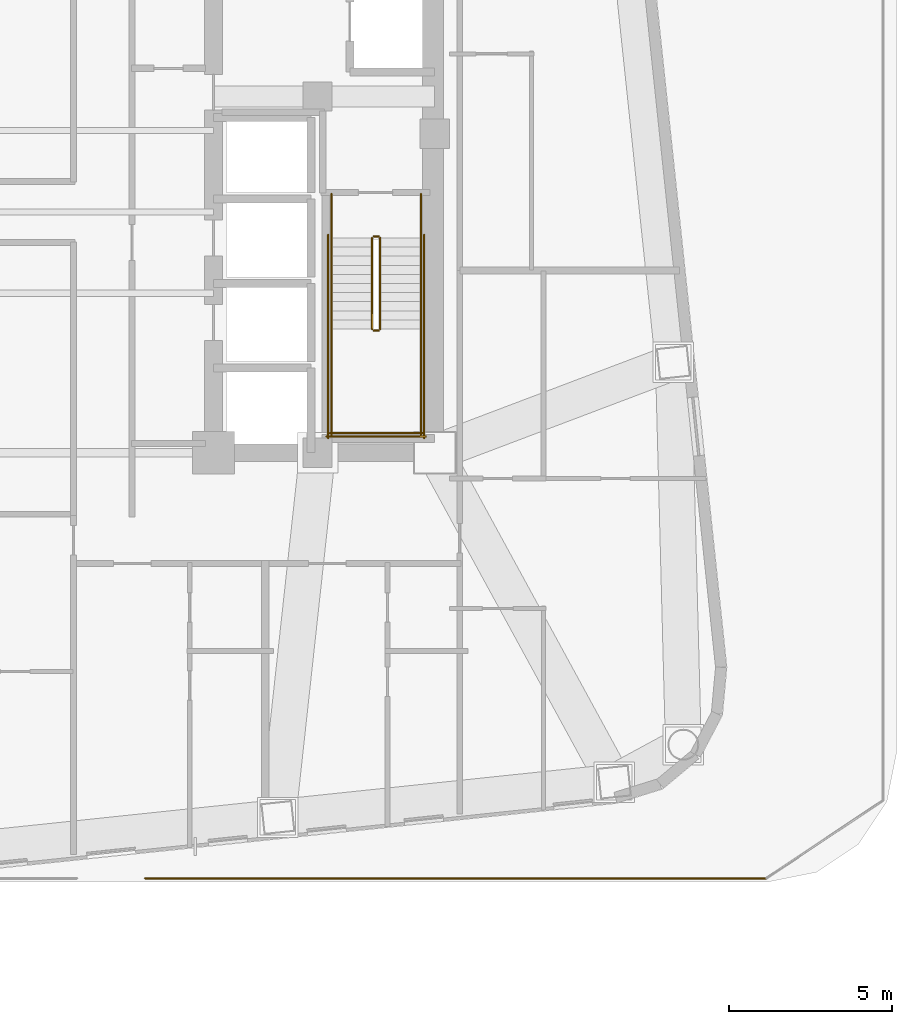
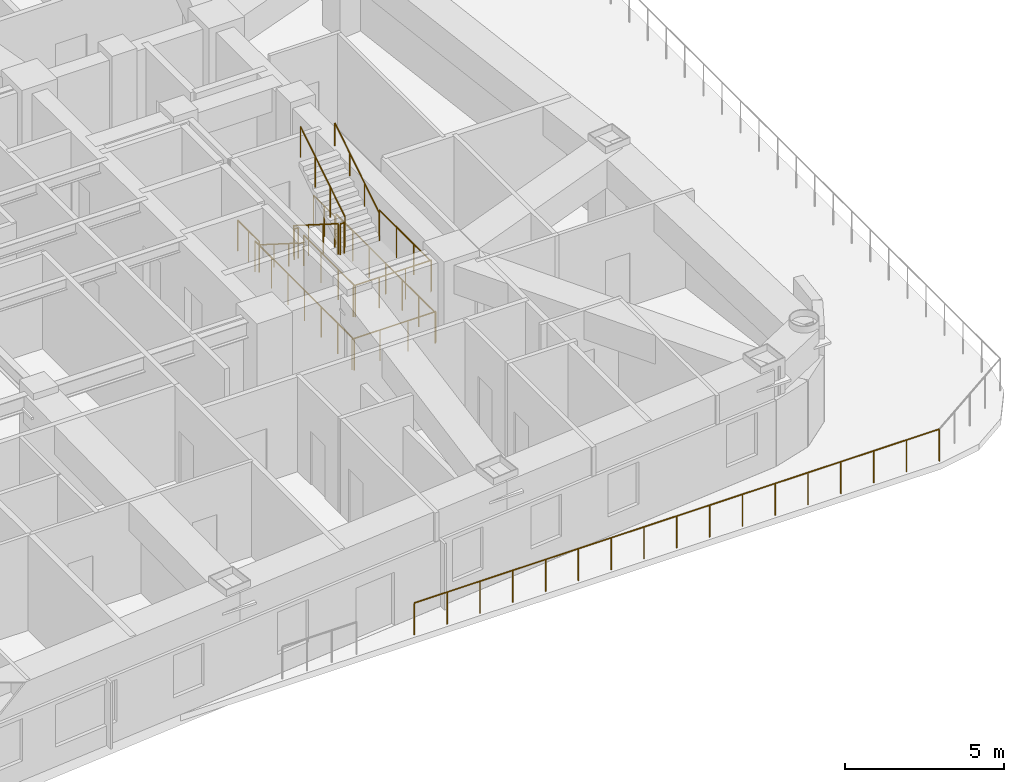
# One storey, part 14 of 15: 15 railings.
"""IFC4 building model written with IfcOpenShell, lengths in metres."""

from ifc_helpers import new_model, si_unit, direction, frame, origin, origin_2d, place, context, subcontext, project, spatial, circle, extrude, material, type_object, element, save


model = new_model("IFC4")

# Units and contexts
model_context = context("Model", 3, precision=1e-05, world=origin(), true_north=direction((0.0, 1.0)))
body_context = subcontext(model_context, "Body", "Model", "MODEL_VIEW")
ifc_project = project(units=[si_unit("LENGTHUNIT", "METRE"), si_unit("AREAUNIT", "SQUARE_METRE"), si_unit("VOLUMEUNIT", "CUBIC_METRE"), si_unit("PLANEANGLEUNIT", "RADIAN"), si_unit("MASSUNIT", "GRAM", prefix="KILO")], contexts=[model_context])

# Site, building, storey
site_placement = place(None, origin())
site = spatial("IfcSite", under=ifc_project, at=site_placement, CompositionType="ELEMENT")
building_placement = place(site_placement, origin())
building = spatial("IfcBuilding", under=site, at=building_placement, Name="Voryun Gate Residences", CompositionType="ELEMENT")
storey_placement = place(building_placement, frame((0.0, 0.0, 140.39990234375)))
storey = spatial("IfcBuildingStorey", under=building, at=storey_placement, Name="L34", CompositionType="ELEMENT", Elevation=140.39990234375)

# Railings
ifc_material_1 = material(Name="Painted steel", Category="steel")
railing_type_1 = type_object("IfcRailingType", Name="RAIL_STAIR_GUARD_1200", PredefinedType="GUARDRAIL", material=ifc_material_1)
railing_1_placement = place(storey_placement, frame((17.27490234375, -0.800048828125, 0.177490234375)))
element("IfcRailing", 1, at=railing_1_placement, inside=storey, type_object=railing_type_1, Name="L34 ST-E1 stair guard 1", PredefinedType="GUARDRAIL", context=body_context, shape_type="SweptSolid", body=[
    extrude(circle(Radius=0.02392578125, at=origin_2d()), frame((0.0, 0.0, 1.17578125), z_axis=(0.0, -0.844908973607, 0.534910110503), x_axis=(1.0, 0.0, 0.0)), (0.0, 0.0, 1.0), 3.31396484375),
    extrude(circle(Radius=0.02099609375, at=origin_2d()), origin(), (0.0, 0.0, 1.0), 1.15185546875),
    extrude(circle(Radius=0.02099609375, at=origin_2d()), frame((0.0, -0.933349609375, 0.5908203125)), (0.0, 0.0, 1.0), 1.15185546875),
    extrude(circle(Radius=0.02099609375, at=origin_2d()), frame((0.0, -1.86669921875, 1.181884765625)), (0.0, 0.0, 1.0), 1.15185546875),
    extrude(circle(Radius=0.02099609375, at=origin_2d()), frame((0.0, -2.800048828125, 1.772705078125)), (0.0, 0.0, 1.0), 1.15185546875),
])
railing_2_placement = place(storey_placement, frame((17.324951171875, -3.64990234375, 1.9501953125)))
element("IfcRailing", 2, at=railing_2_placement, inside=storey, type_object=railing_type_1, Name="L34 ST-E1 stair guard 2", PredefinedType="GUARDRAIL", context=body_context, shape_type="SweptSolid", body=[
    extrude(circle(Radius=0.02392578125, at=origin_2d()), frame((0.0, 0.0, 1.17578125), z_axis=(1.0, 0.0, 0.0), x_axis=(0.0, 1.0, 0.0)), (0.0, 0.0, 1.0), 0.150146484375),
    extrude(circle(Radius=0.02099609375, at=origin_2d()), origin(), (0.0, 0.0, 1.0), 1.15185546875),
    extrude(circle(Radius=0.02099609375, at=origin_2d()), frame((0.150146484375, 0.0, 0.0)), (0.0, 0.0, 1.0), 1.15185546875),
])
for number, where, name in (
    (3, (16.02490234375, -3.60009765625, 1.9501953125), "L34 ST-E1 stair guard 3"),
    (4, (18.77490234375, -3.60009765625, 1.9501953125), "L34 ST-E1 stair guard 4"),
):
    element("IfcRailing", number, at=place(storey_placement, frame(where)), inside=storey, type_object=railing_type_1, Name=name, PredefinedType="GUARDRAIL", context=body_context, shape_type="SweptSolid", body=[
        extrude(circle(Radius=0.02392578125, at=origin_2d()), frame((0.0, 0.0, 1.17578125), z_axis=(0.0, -1.0, 0.0), x_axis=(1.0, 0.0, 0.0)), (0.0, 0.0, 1.0), 3.25),
        extrude(circle(Radius=0.02099609375, at=origin_2d()), origin(), (0.0, 0.0, 1.0), 1.15185546875),
        extrude(circle(Radius=0.02099609375, at=origin_2d()), frame((0.0, -1.083251953125, 0.0)), (0.0, 0.0, 1.0), 1.15185546875),
        extrude(circle(Radius=0.02099609375, at=origin_2d()), frame((0.0, -2.166748046875, 0.0)), (0.0, 0.0, 1.0), 1.15185546875),
        extrude(circle(Radius=0.02099609375, at=origin_2d()), frame((0.0, -3.25, 0.0)), (0.0, 0.0, 1.0), 1.15185546875),
    ])
railing_3_placement = place(storey_placement, frame((15.97509765625, -6.800048828125, 1.9501953125)))
element("IfcRailing", 5, at=railing_3_placement, inside=storey, type_object=railing_type_1, Name="L34 ST-E1 stair guard 5", PredefinedType="GUARDRAIL", context=body_context, shape_type="SweptSolid", body=[
    extrude(circle(Radius=0.02392578125, at=origin_2d()), frame((0.0, 0.0, 1.17578125), z_axis=(1.0, 0.0, 0.0), x_axis=(0.0, 1.0, 0.0)), (0.0, 0.0, 1.0), 2.849853515625),
    extrude(circle(Radius=0.02099609375, at=origin_2d()), origin(), (0.0, 0.0, 1.0), 1.15185546875),
    extrude(circle(Radius=0.02099609375, at=origin_2d()), frame((0.949951171875, 0.0, 0.0)), (0.0, 0.0, 1.0), 1.15185546875),
    extrude(circle(Radius=0.02099609375, at=origin_2d()), frame((1.89990234375, 0.0, 0.0)), (0.0, 0.0, 1.0), 1.15185546875),
    extrude(circle(Radius=0.02099609375, at=origin_2d()), frame((2.849853515625, 0.0, 0.0)), (0.0, 0.0, 1.0), 1.15185546875),
])
railing_4_placement = place(storey_placement, frame((17.52490234375, -3.60009765625, 2.12744140625)))
element("IfcRailing", 6, at=railing_4_placement, inside=storey, type_object=railing_type_1, Name="L34 ST-E1 stair guard 6", PredefinedType="GUARDRAIL", context=body_context, shape_type="SweptSolid", body=[
    extrude(circle(Radius=0.02392578125, at=origin_2d()), frame((0.0, 0.0, 1.17578125), z_axis=(0.0, 0.844908973607, 0.534910110503), x_axis=(-1.0, 0.0, 0.0)), (0.0, 0.0, 1.0), 3.31396484375),
    extrude(circle(Radius=0.02099609375, at=origin_2d()), origin(), (0.0, 0.0, 1.0), 1.15185546875),
    extrude(circle(Radius=0.02099609375, at=origin_2d()), frame((0.0, 0.933349609375, 0.5908203125)), (0.0, 0.0, 1.0), 1.15185546875),
    extrude(circle(Radius=0.02099609375, at=origin_2d()), frame((0.0, 1.86669921875, 1.181884765625)), (0.0, 0.0, 1.0), 1.15185546875),
    extrude(circle(Radius=0.02099609375, at=origin_2d()), frame((0.0, 2.800048828125, 1.772705078125)), (0.0, 0.0, 1.0), 1.15185546875),
])
railing_5_placement = place(storey_placement, frame((17.324951171875, -0.75, 0.0)))
element("IfcRailing", 7, at=railing_5_placement, inside=storey, type_object=railing_type_1, Name="L34 ST-E1 stair guard 7", PredefinedType="GUARDRAIL", context=body_context, shape_type="SweptSolid", body=[
    extrude(circle(Radius=0.02392578125, at=origin_2d()), frame((0.0, 0.0, 1.17578125), z_axis=(1.0, 0.0, 0.0), x_axis=(0.0, 1.0, 0.0)), (0.0, 0.0, 1.0), 0.150146484375),
    extrude(circle(Radius=0.02099609375, at=origin_2d()), origin(), (0.0, 0.0, 1.0), 1.15185546875),
    extrude(circle(Radius=0.02099609375, at=origin_2d()), frame((0.150146484375, 0.0, 0.0)), (0.0, 0.0, 1.0), 1.15185546875),
])
for number, where, name in (
    (8, (16.02490234375, 0.550048828125, 0.0), "L34 ST-E1 stair guard 8"),
    (9, (18.77490234375, 0.550048828125, 0.0), "L34 ST-E1 stair guard 9"),
):
    element("IfcRailing", number, at=place(storey_placement, frame(where)), inside=storey, type_object=railing_type_1, Name=name, PredefinedType="GUARDRAIL", context=body_context, shape_type="SweptSolid", body=[
        extrude(circle(Radius=0.02392578125, at=origin_2d()), frame((0.0, 0.0, 1.17578125), z_axis=(0.0, -1.0, 0.0), x_axis=(1.0, 0.0, 0.0)), (0.0, 0.0, 1.0), 1.35009765625),
        extrude(circle(Radius=0.02099609375, at=origin_2d()), origin(), (0.0, 0.0, 1.0), 1.15185546875),
        extrude(circle(Radius=0.02099609375, at=origin_2d()), frame((0.0, -0.675048828125, 0.0)), (0.0, 0.0, 1.0), 1.15185546875),
        extrude(circle(Radius=0.02099609375, at=origin_2d()), frame((0.0, -1.35009765625, 0.0)), (0.0, 0.0, 1.0), 1.15185546875),
    ])
for number, where, name in (
    (10, (15.925048828125, -0.699951171875, 0.0), "L34 ST-E1 stair guard 10"),
    (11, (18.875, -0.699951171875, 0.0), "L34 ST-E1 stair guard 11"),
):
    element("IfcRailing", number, at=place(storey_placement, frame(where)), inside=storey, type_object=railing_type_1, Name=name, PredefinedType="GUARDRAIL", context=body_context, shape_type="SweptSolid", body=[
        extrude(circle(Radius=0.02392578125, at=origin_2d()), frame((0.0, 0.0, 1.17578125), z_axis=(0.0, -1.0, 0.0), x_axis=(1.0, 0.0, 0.0)), (0.0, 0.0, 1.0), 6.25),
        extrude(circle(Radius=0.02099609375, at=origin_2d()), origin(), (0.0, 0.0, 1.0), 1.15185546875),
        extrude(circle(Radius=0.02099609375, at=origin_2d()), frame((0.0, -1.041748046875, 0.0)), (0.0, 0.0, 1.0), 1.15185546875),
        extrude(circle(Radius=0.02099609375, at=origin_2d()), frame((0.0, -2.083251953125, 0.0)), (0.0, 0.0, 1.0), 1.15185546875),
        extrude(circle(Radius=0.02099609375, at=origin_2d()), frame((0.0, -3.125, 0.0)), (0.0, 0.0, 1.0), 1.15185546875),
        extrude(circle(Radius=0.02099609375, at=origin_2d()), frame((0.0, -4.166748046875, 0.0)), (0.0, 0.0, 1.0), 1.15185546875),
        extrude(circle(Radius=0.02099609375, at=origin_2d()), frame((0.0, -5.208251953125, 0.0)), (0.0, 0.0, 1.0), 1.15185546875),
        extrude(circle(Radius=0.02099609375, at=origin_2d()), frame((0.0, -6.25, 0.0)), (0.0, 0.0, 1.0), 1.15185546875),
    ])
railing_6_placement = place(storey_placement, frame((15.875, -6.89990234375, 0.0)))
element("IfcRailing", 12, at=railing_6_placement, inside=storey, type_object=railing_type_1, Name="L34 ST-E1 stair guard 12", PredefinedType="GUARDRAIL", context=body_context, shape_type="SweptSolid", body=[
    extrude(circle(Radius=0.02392578125, at=origin_2d()), frame((0.0, 0.0, 1.17578125), z_axis=(1.0, 0.0, 0.0), x_axis=(0.0, 1.0, 0.0)), (0.0, 0.0, 1.0), 3.050048828125),
    extrude(circle(Radius=0.02099609375, at=origin_2d()), origin(), (0.0, 0.0, 1.0), 1.15185546875),
    extrude(circle(Radius=0.02099609375, at=origin_2d()), frame((1.0166015625, 0.0, 0.0)), (0.0, 0.0, 1.0), 1.15185546875),
    extrude(circle(Radius=0.02099609375, at=origin_2d()), frame((2.033447265625, 0.0, 0.0)), (0.0, 0.0, 1.0), 1.15185546875),
    extrude(circle(Radius=0.02099609375, at=origin_2d()), frame((3.050048828125, 0.0, 0.0)), (0.0, 0.0, 1.0), 1.15185546875),
])
ifc_material_2 = material(Name="Painted steel", Category="steel")
railing_type_2 = type_object("IfcRailingType", Name="RAIL_STAIR_HANDRAIL_900", PredefinedType="HANDRAIL", material=ifc_material_2)
railing_7_placement = place(storey_placement, frame((16.02490234375, -0.800048828125, 0.177490234375)))
element("IfcRailing", 13, at=railing_7_placement, inside=storey, type_object=railing_type_2, Name="L34 ST-E1 stair handrail 1", PredefinedType="HANDRAIL", context=body_context, shape_type="SweptSolid", body=[
    extrude(circle(Radius=0.02392578125, at=origin_2d()), frame((0.0, 0.0, 0.8759765625), z_axis=(0.0, -0.844908973607, 0.534910110503), x_axis=(1.0, 0.0, 0.0)), (0.0, 0.0, 1.0), 3.31396484375),
    extrude(circle(Radius=0.02099609375, at=origin_2d()), origin(), (0.0, 0.0, 1.0), 0.851806640625),
    extrude(circle(Radius=0.02099609375, at=origin_2d()), frame((0.0, -0.933349609375, 0.5908203125)), (0.0, 0.0, 1.0), 0.851806640625),
    extrude(circle(Radius=0.02099609375, at=origin_2d()), frame((0.0, -1.86669921875, 1.181884765625)), (0.0, 0.0, 1.0), 0.851806640625),
    extrude(circle(Radius=0.02099609375, at=origin_2d()), frame((0.0, -2.800048828125, 1.772705078125)), (0.0, 0.0, 1.0), 0.851806640625),
])
railing_8_placement = place(storey_placement, frame((18.77490234375, -3.60009765625, 2.12744140625)))
element("IfcRailing", 14, at=railing_8_placement, inside=storey, type_object=railing_type_2, Name="L34 ST-E1 stair handrail 2", PredefinedType="HANDRAIL", context=body_context, shape_type="SweptSolid", body=[
    extrude(circle(Radius=0.02392578125, at=origin_2d()), frame((0.0, 0.0, 0.8759765625), z_axis=(0.0, 0.844908973607, 0.534910110503), x_axis=(-1.0, 0.0, 0.0)), (0.0, 0.0, 1.0), 3.31396484375),
    extrude(circle(Radius=0.02099609375, at=origin_2d()), origin(), (0.0, 0.0, 1.0), 0.851806640625),
    extrude(circle(Radius=0.02099609375, at=origin_2d()), frame((0.0, 0.933349609375, 0.5908203125)), (0.0, 0.0, 1.0), 0.851806640625),
    extrude(circle(Radius=0.02099609375, at=origin_2d()), frame((0.0, 1.86669921875, 1.181884765625)), (0.0, 0.0, 1.0), 0.851806640625),
    extrude(circle(Radius=0.02099609375, at=origin_2d()), frame((0.0, 2.800048828125, 1.772705078125)), (0.0, 0.0, 1.0), 0.851806640625),
])
ifc_material_3 = material(Name="Anodised aluminium", Category="aluminium")
railing_type_3 = type_object("IfcRailingType", Name="RAIL_TERRACE_GUARD_1250", PredefinedType="GUARDRAIL", material=ifc_material_3)
railing_9_placement = place(storey_placement, frame((29.38818359375, -20.47998046875, 0.0)))
element("IfcRailing", 15, at=railing_9_placement, inside=storey, type_object=railing_type_3, Name="Terrace guard RL-L34-P1L1-05", PredefinedType="GUARDRAIL", context=body_context, shape_type="SweptSolid", body=[
    extrude(circle(Radius=0.02392578125, at=origin_2d()), frame((0.0, 0.0, 1.22607421875), z_axis=(-1.0, 0.0, 0.0), x_axis=(0.0, -1.0, 0.0)), (0.0, 0.0, 1.0), 19.08740234375),
    extrude(circle(Radius=0.02099609375, at=origin_2d()), origin(), (0.0, 0.0, 1.0), 1.201904296875),
    extrude(circle(Radius=0.02099609375, at=origin_2d()), frame((-1.19287109375, 0.0, 0.0)), (0.0, 0.0, 1.0), 1.201904296875),
    extrude(circle(Radius=0.02099609375, at=origin_2d()), frame((-2.385986328125, 0.0, 0.0)), (0.0, 0.0, 1.0), 1.201904296875),
    extrude(circle(Radius=0.02099609375, at=origin_2d()), frame((-3.578857421875, 0.0, 0.0)), (0.0, 0.0, 1.0), 1.201904296875),
    extrude(circle(Radius=0.02099609375, at=origin_2d()), frame((-4.77197265625, 0.0, 0.0)), (0.0, 0.0, 1.0), 1.201904296875),
    extrude(circle(Radius=0.02099609375, at=origin_2d()), frame((-5.96484375, 0.0, 0.0)), (0.0, 0.0, 1.0), 1.201904296875),
    extrude(circle(Radius=0.02099609375, at=origin_2d()), frame((-7.15771484375, 0.0, 0.0)), (0.0, 0.0, 1.0), 1.201904296875),
    extrude(circle(Radius=0.02099609375, at=origin_2d()), frame((-8.350830078125, 0.0, 0.0)), (0.0, 0.0, 1.0), 1.201904296875),
    extrude(circle(Radius=0.02099609375, at=origin_2d()), frame((-9.543701171875, 0.0, 0.0)), (0.0, 0.0, 1.0), 1.201904296875),
    extrude(circle(Radius=0.02099609375, at=origin_2d()), frame((-10.736572265625, 0.0, 0.0)), (0.0, 0.0, 1.0), 1.201904296875),
    extrude(circle(Radius=0.02099609375, at=origin_2d()), frame((-11.9296875, 0.0, 0.0)), (0.0, 0.0, 1.0), 1.201904296875),
    extrude(circle(Radius=0.02099609375, at=origin_2d()), frame((-13.12255859375, 0.0, 0.0)), (0.0, 0.0, 1.0), 1.201904296875),
    extrude(circle(Radius=0.02099609375, at=origin_2d()), frame((-14.3154296875, 0.0, 0.0)), (0.0, 0.0, 1.0), 1.201904296875),
    extrude(circle(Radius=0.02099609375, at=origin_2d()), frame((-15.508544921875, 0.0, 0.0)), (0.0, 0.0, 1.0), 1.201904296875),
    extrude(circle(Radius=0.02099609375, at=origin_2d()), frame((-16.701416015625, 0.0, 0.0)), (0.0, 0.0, 1.0), 1.201904296875),
    extrude(circle(Radius=0.02099609375, at=origin_2d()), frame((-17.89453125, 0.0, 0.0)), (0.0, 0.0, 1.0), 1.201904296875),
    extrude(circle(Radius=0.02099609375, at=origin_2d()), frame((-19.08740234375, 0.0, 0.0)), (0.0, 0.0, 1.0), 1.201904296875),
])

save(model, "model.ifc")
